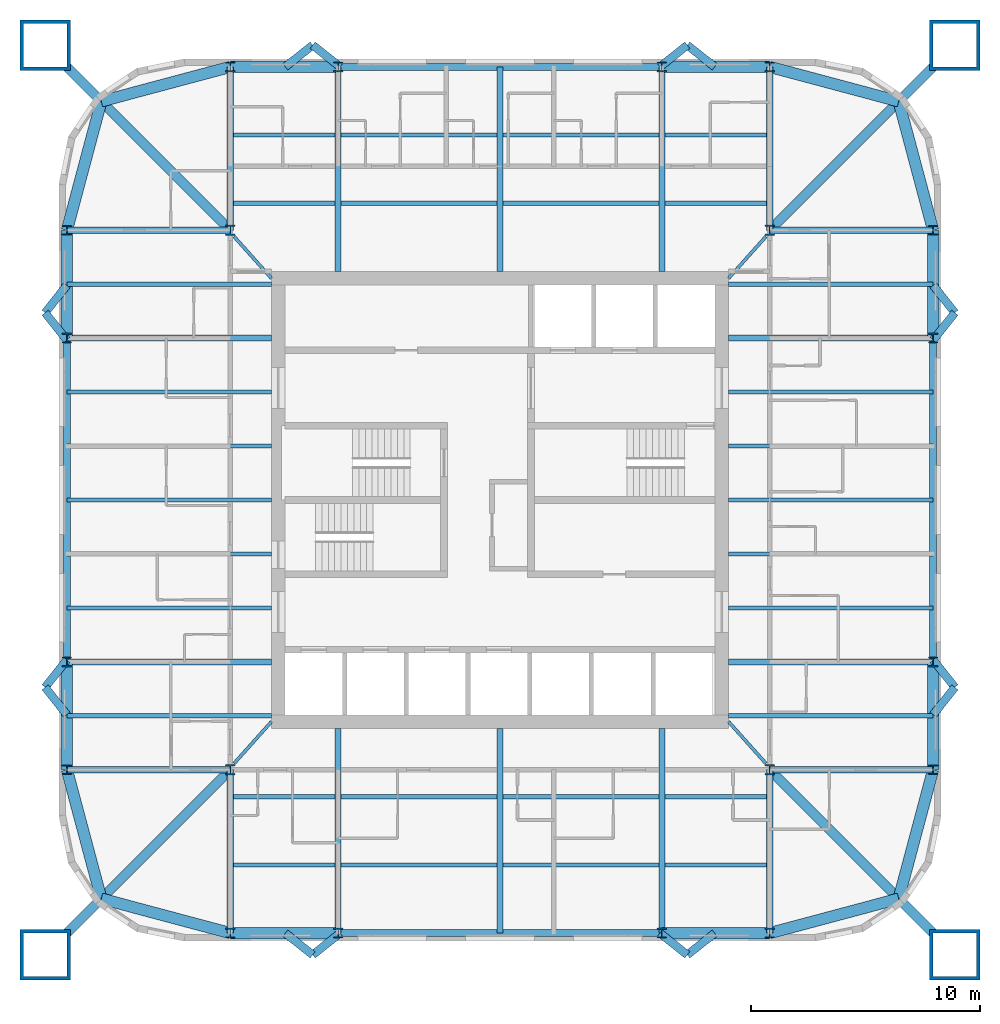
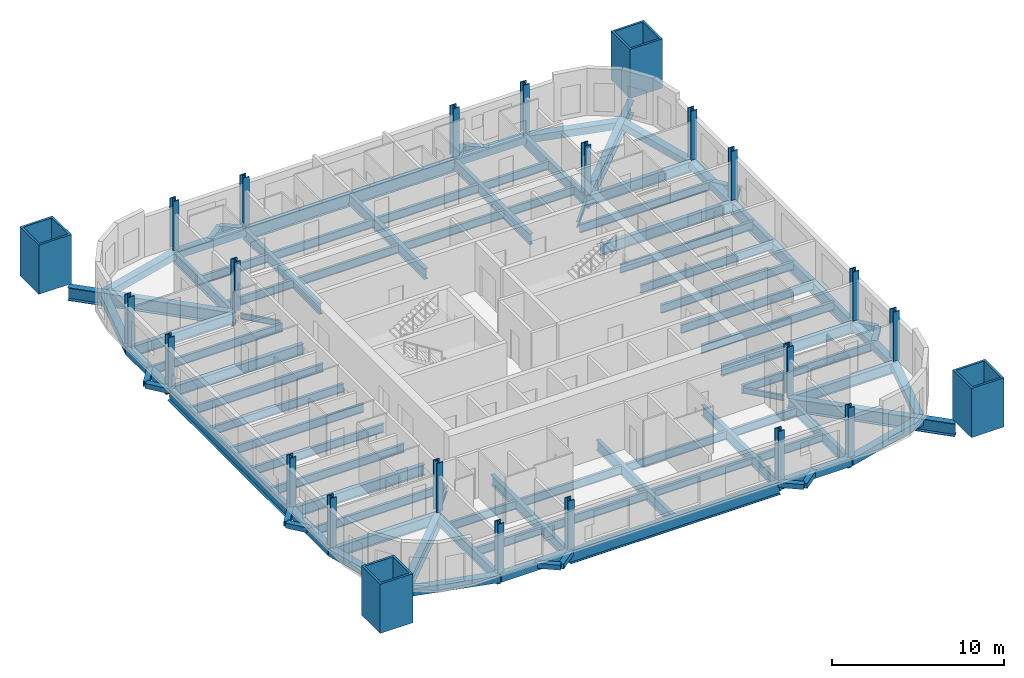
# One storey, part 1 of 10: 92 beams, 24 columns.
"""IFC4 building model written with IfcOpenShell, lengths in metres."""

from ifc_helpers import new_model, si_unit, direction, frame, origin, origin_2d, place, context, subcontext, project, spatial, hollow_rectangle, i_section, extrude, material, material_profile, profile_set, type_object, element, save


model = new_model("IFC4")

# Units and contexts
model_context = context("Model", 3, precision=1e-05, world=origin(), true_north=direction((0.0, 1.0)))
body_context = subcontext(model_context, "Body", "Model", "MODEL_VIEW")
ifc_project = project(units=[si_unit("LENGTHUNIT", "METRE"), si_unit("AREAUNIT", "SQUARE_METRE"), si_unit("VOLUMEUNIT", "CUBIC_METRE"), si_unit("PLANEANGLEUNIT", "RADIAN"), si_unit("MASSUNIT", "GRAM", prefix="KILO")], contexts=[model_context])

# Site, building, storey
site_placement = place(None, origin())
site = spatial("IfcSite", under=ifc_project, at=site_placement, CompositionType="ELEMENT")
building_placement = place(site_placement, origin())
building = spatial("IfcBuilding", under=site, at=building_placement, Name="Turquesa Mirador Hotel Tower", CompositionType="ELEMENT")
storey_placement = place(building_placement, frame((0.0, 0.0, 179.300048828125)))
storey = spatial("IfcBuildingStorey", under=building, at=storey_placement, Name="L48", CompositionType="ELEMENT", Elevation=179.300048828125)

# Columns
ifc_material_1 = material(Name="Steel ASTM A992 Grade 50", Category="steel")
ifc_material_profile_1 = material_profile(ifc_material_1, i_section(OverallWidth=0.411376953125, OverallDepth=0.434326171875, WebThickness=0.035888671875, FlangeThickness=0.057373046875, at=origin_2d()), Name="W14X311")
ifc_profile_set_1 = profile_set([ifc_material_profile_1], Name="Steel ASTM A992 Grade 50")
column_type_1 = type_object("IfcColumnType", Name="COLUMN W14X311", PredefinedType="COLUMN", material=ifc_profile_set_1)
for number, where, z_axis, x_axis, name in (
    (1, (36.050048828125, 33.199951171875, 0.0), (0.0, 0.0, 1.0), (1.0, 0.0, 0.0), "COL-L48-P--18.95--11.80"),
    (2, (36.050048828125, 37.919921875, 0.0), (0.0, 0.0, 1.0), (1.0, 0.0, 0.0), "COL-L48-P--18.95--7.08"),
    (3, (36.050048828125, 52.080078125, 0.0), (0.0, 0.0, 1.0), (1.0, 0.0, 0.0), "COL-L48-P--18.95-+7.08"),
    (4, (36.050048828125, 56.800048828125, 0.0), (0.0, 0.0, 1.0), (1.0, 0.0, 0.0), "COL-L48-P--18.95-+11.80"),
    (5, (43.199951171875, 26.050048828125, 0.0), (0.0, 0.0, 1.0), (1.0, 0.0, 0.0), "COL-L48-P--11.80--18.95"),
    (6, (43.199951171875, 63.949951171875, 0.0), (0.0, 0.0, 1.0), (1.0, 0.0, 0.0), "COL-L48-P--11.80-+18.95"),
    (7, (47.919921875, 26.050048828125, 0.0), (0.0, 0.0, 1.0), (1.0, 0.0, 0.0), "COL-L48-P--7.08--18.95"),
    (8, (47.919921875, 63.949951171875, 0.0), (0.0, 0.0, 1.0), (1.0, 0.0, 0.0), "COL-L48-P--7.08-+18.95"),
    (9, (62.080078125, 26.050048828125, 0.0), (0.0, 0.0, 1.0), (1.0, 0.0, 0.0), "COL-L48-P-+7.08--18.95"),
    (10, (62.080078125, 63.949951171875, 0.0), (0.0, 0.0, 1.0), (1.0, 0.0, 0.0), "COL-L48-P-+7.08-+18.95"),
    (11, (66.800048828125, 26.050048828125, 0.0), (0.0, 0.0, 1.0), (1.0, 0.0, 0.0), "COL-L48-P-+11.80--18.95"),
    (12, (66.800048828125, 63.949951171875, 0.0), (0.0, 0.0, 1.0), (1.0, 0.0, 0.0), "COL-L48-P-+11.80-+18.95"),
    (13, (73.949951171875, 33.199951171875, 0.0), (0.0, 0.0, 1.0), (1.0, 0.0, 0.0), "COL-L48-P-+18.95--11.80"),
    (14, (73.949951171875, 37.919921875, 0.0), (0.0, 0.0, 1.0), (1.0, 0.0, 0.0), "COL-L48-P-+18.95--7.08"),
    (15, (73.949951171875, 52.080078125, 0.0), (0.0, 0.0, 1.0), (1.0, 0.0, 0.0), "COL-L48-P-+18.95-+7.08"),
    (16, (73.949951171875, 56.800048828125, 0.0), (0.0, 0.0, 1.0), (1.0, 0.0, 0.0), "COL-L48-P-+18.95-+11.80"),
):
    element("IfcColumn", number, at=place(storey_placement, frame(where, z_axis=z_axis, x_axis=x_axis)), inside=storey, type_object=column_type_1, Name=name, PredefinedType="COLUMN", context=body_context, shape_type="SweptSolid", body=[
        extrude(i_section(OverallWidth=0.411376953125, OverallDepth=0.434326171875, WebThickness=0.035888671875, FlangeThickness=0.057373046875, at=origin_2d()), origin(), (0.0, 0.0, 1.0), 3.5),
    ])
ifc_material_2 = material(Name="Steel ASTM A992 Grade 50", Category="steel")
ifc_material_profile_2 = material_profile(ifc_material_2, i_section(OverallWidth=0.421630859375, OverallDepth=0.46484375, WebThickness=0.044921875, FlangeThickness=0.072509765625, at=origin_2d()), Name="W14X398")
ifc_profile_set_2 = profile_set([ifc_material_profile_2], Name="Steel ASTM A992 Grade 50")
column_type_2 = type_object("IfcColumnType", Name="COLUMN W14X398", PredefinedType="COLUMN", material=ifc_profile_set_2)
for number, where, z_axis, x_axis, name in (
    (17, (43.199951171875, 33.199951171875, 0.0), (0.0, 0.0, 1.0), (1.0, 0.0, 0.0), "COL-L48-K--11.80--11.80"),
    (18, (43.199951171875, 56.800048828125, 0.0), (0.0, 0.0, 1.0), (1.0, 0.0, 0.0), "COL-L48-K--11.80-+11.80"),
    (19, (66.800048828125, 33.199951171875, 0.0), (0.0, 0.0, 1.0), (1.0, 0.0, 0.0), "COL-L48-K-+11.80--11.80"),
    (20, (66.800048828125, 56.800048828125, 0.0), (0.0, 0.0, 1.0), (1.0, 0.0, 0.0), "COL-L48-K-+11.80-+11.80"),
):
    element("IfcColumn", number, at=place(storey_placement, frame(where, z_axis=z_axis, x_axis=x_axis)), inside=storey, type_object=column_type_2, Name=name, PredefinedType="COLUMN", context=body_context, shape_type="SweptSolid", body=[
        extrude(i_section(OverallWidth=0.421630859375, OverallDepth=0.46484375, WebThickness=0.044921875, FlangeThickness=0.072509765625, at=origin_2d()), origin(), (0.0, 0.0, 1.0), 3.5),
    ])
ifc_material_3 = material(Name="Steel ASTM A514 Grade Q", Category="steel")
ifc_material_profile_3 = material_profile(ifc_material_3, hollow_rectangle(XDim=2.199951171875, YDim=2.199951171875, WallThickness=0.14990234375, at=origin_2d()), Name="BOX2200X2200X150")
ifc_profile_set_3 = profile_set([ifc_material_profile_3], Name="Steel ASTM A514 Grade Q")
column_type_3 = type_object("IfcColumnType", Name="MEGA COLUMN BOX2200X2200X150", PredefinedType="COLUMN", material=ifc_profile_set_3)
for number, where, z_axis, x_axis, name in (
    (21, (74.89990234375, 64.89990234375, 0.0), (0.0, 0.0, 1.0), (1.0, 0.0, 0.0), "Mega column M1"),
    (22, (35.10009765625, 64.89990234375, 0.0), (0.0, 0.0, 1.0), (1.0, 0.0, 0.0), "Mega column M2"),
    (23, (35.10009765625, 25.10009765625, 0.0), (0.0, 0.0, 1.0), (1.0, 0.0, 0.0), "Mega column M3"),
    (24, (74.89990234375, 25.10009765625, 0.0), (0.0, 0.0, 1.0), (1.0, 0.0, 0.0), "Mega column M4"),
):
    element("IfcColumn", number, at=place(storey_placement, frame(where, z_axis=z_axis, x_axis=x_axis)), inside=storey, type_object=column_type_3, Name=name, PredefinedType="COLUMN", context=body_context, shape_type="SweptSolid", body=[
        extrude(hollow_rectangle(XDim=2.199951171875, YDim=2.199951171875, WallThickness=0.14990234375, at=origin_2d()), origin(), (0.0, 0.0, 1.0), 3.5),
    ])

# Beams
ifc_material_4 = material(Name="Steel ASTM A572 Grade 50", Category="steel")
ifc_material_profile_4 = material_profile(ifc_material_4, hollow_rectangle(XDim=0.5, YDim=0.5, WallThickness=0.01611328125, at=origin_2d()), Name="BOX500X500X16")
ifc_profile_set_4 = profile_set([ifc_material_profile_4], Name="Steel ASTM A572 Grade 50")
beam_type_1 = type_object("IfcBeamType", Name="BEAM BOX500X500X16", PredefinedType="BEAM", material=ifc_profile_set_4)
for number, where, z_axis, x_axis, name in (
    (25, (43.199951171875, 63.949951171875, -0.420166015625), (1.0, 0.0, 0.0), (0.0, 1.0, 0.0), "EB-L48-N-L"),
    (26, (62.080078125, 63.949951171875, -0.420166015625), (1.0, 0.0, 0.0), (0.0, 1.0, 0.0), "EB-L48-N-R"),
    (27, (43.199951171875, 26.050048828125, -0.420166015625), (1.0, 0.0, 0.0), (0.0, 1.0, 0.0), "EB-L48-S-L"),
    (28, (62.080078125, 26.050048828125, -0.420166015625), (1.0, 0.0, 0.0), (0.0, 1.0, 0.0), "EB-L48-S-R"),
    (29, (73.949951171875, 33.199951171875, -0.420166015625), (0.0, 1.0, 0.0), (-1.0, 0.0, 0.0), "EB-L48-E-L"),
    (30, (73.949951171875, 52.080078125, -0.420166015625), (0.0, 1.0, 0.0), (-1.0, 0.0, 0.0), "EB-L48-E-R"),
    (31, (36.050048828125, 33.199951171875, -0.420166015625), (0.0, 1.0, 0.0), (-1.0, 0.0, 0.0), "EB-L48-W-L"),
    (32, (36.050048828125, 52.080078125, -0.420166015625), (0.0, 1.0, 0.0), (-1.0, 0.0, 0.0), "EB-L48-W-R"),
):
    element("IfcBeam", number, at=place(storey_placement, frame(where, z_axis=z_axis, x_axis=x_axis)), inside=storey, type_object=beam_type_1, Name=name, PredefinedType="BEAM", context=body_context, shape_type="SweptSolid", body=[
        extrude(hollow_rectangle(XDim=0.5, YDim=0.5, WallThickness=0.01611328125, at=origin_2d()), origin(), (0.0, 0.0, 1.0), 4.719970703125),
    ])
for number, where, z_axis, x_axis, name in (
    (33, (73.949951171875, 56.800048828125, -0.420166015625), (-0.258281892145, 0.966069595935, 0.0), (-0.966069595935, -0.258281892145, 0.0), "KE-L48-1-0"),
    (34, (72.441650390625, 62.441650390625, -0.420166015625), (-0.966069595935, 0.258281892145, 0.0), (-0.258281892145, -0.966069595935, 0.0), "KE-L48-1-1"),
    (35, (36.050048828125, 56.800048828125, -0.420166015625), (0.258281892145, 0.966069595935, 0.0), (-0.966069595935, 0.258281892145, 0.0), "KE-L48-2-0"),
    (36, (37.558349609375, 62.441650390625, -0.420166015625), (0.966069595935, 0.258281892145, 0.0), (-0.258281892145, 0.966069595935, 0.0), "KE-L48-2-1"),
    (37, (36.050048828125, 33.199951171875, -0.420166015625), (0.258281892145, -0.966069595935, 0.0), (0.966069595935, 0.258281892145, 0.0), "KE-L48-3-0"),
    (38, (37.558349609375, 27.558349609375, -0.420166015625), (0.966069595935, -0.258281892145, 0.0), (0.258281892145, 0.966069595935, 0.0), "KE-L48-3-1"),
    (39, (73.949951171875, 33.199951171875, -0.420166015625), (-0.258281892145, -0.966069595935, 0.0), (0.966069595935, -0.258281892145, 0.0), "KE-L48-4-0"),
    (40, (72.441650390625, 27.558349609375, -0.420166015625), (-0.966069595935, -0.258281892145, 0.0), (0.258281892145, -0.966069595935, 0.0), "KE-L48-4-1"),
):
    element("IfcBeam", number, at=place(storey_placement, frame(where, z_axis=z_axis, x_axis=x_axis)), inside=storey, type_object=beam_type_1, Name=name, PredefinedType="BEAM", context=body_context, shape_type="SweptSolid", body=[
        extrude(hollow_rectangle(XDim=0.5, YDim=0.5, WallThickness=0.01611328125, at=origin_2d()), origin(), (0.0, 0.0, 1.0), 5.83984375),
    ])
ifc_material_5 = material(Name="Steel ASTM A992 Grade 50", Category="steel")
ifc_material_profile_5 = material_profile(ifc_material_5, i_section(OverallWidth=0.140380859375, OverallDepth=0.40380859375, WebThickness=0.007080078125, FlangeThickness=0.01123046875, at=origin_2d()), Name="W16X31")
ifc_profile_set_5 = profile_set([ifc_material_profile_5], Name="Steel ASTM A992 Grade 50")
beam_type_2 = type_object("IfcBeamType", Name="BEAM W16X31", PredefinedType="BEAM", material=ifc_profile_set_5)
for number, where, z_axis, x_axis, name in (
    (41, (66.634765625, 56.527099609375, -0.3720703125), (-0.666783216266, -0.745251730964, 0.0), (0.745251730964, -0.666783216266, 0.0), "KT-L48-1"),
    (42, (43.365234375, 56.527099609375, -0.3720703125), (0.666783216266, -0.745251730964, 0.0), (0.745251730964, 0.666783216266, 0.0), "KT-L48-2"),
    (43, (43.365234375, 33.472900390625, -0.3720703125), (0.666783216266, 0.745251730964, 0.0), (-0.745251730964, 0.666783216266, 0.0), "KT-L48-3"),
    (44, (66.634765625, 33.472900390625, -0.3720703125), (-0.666783216266, 0.745251730964, 0.0), (-0.745251730964, -0.666783216266, 0.0), "KT-L48-4"),
):
    element("IfcBeam", number, at=place(storey_placement, frame(where, z_axis=z_axis, x_axis=x_axis)), inside=storey, type_object=beam_type_2, Name=name, PredefinedType="BEAM", context=body_context, shape_type="SweptSolid", body=[
        extrude(i_section(OverallWidth=0.140380859375, OverallDepth=0.40380859375, WebThickness=0.007080078125, FlangeThickness=0.01123046875, at=origin_2d()), origin(), (0.0, 0.0, 1.0), 2.45166015625),
    ])
ifc_material_6 = material(Name="Steel ASTM A992 Grade 50", Category="steel")
ifc_material_profile_6 = material_profile(ifc_material_6, i_section(OverallWidth=0.177978515625, OverallDepth=0.599365234375, WebThickness=0.010009765625, FlangeThickness=0.012939453125, at=origin_2d()), Name="W24X55")
ifc_profile_set_6 = profile_set([ifc_material_profile_6], Name="Steel ASTM A992 Grade 50")
beam_type_3 = type_object("IfcBeamType", Name="BEAM W24X55", PredefinedType="BEAM", material=ifc_profile_set_6)
beam_1_placement = place(storey_placement, frame((43.333251953125, 57.98291015625, -0.4697265625), z_axis=(1.0, 0.0, 0.0), x_axis=(0.0, 1.0, 0.0)))
element("IfcBeam", 45, at=beam_1_placement, inside=storey, type_object=beam_type_3, Name="IB-L48-N-1-0", PredefinedType="BEAM", context=body_context, shape_type="SweptSolid", body=[
    extrude(i_section(OverallWidth=0.177978515625, OverallDepth=0.599365234375, WebThickness=0.010009765625, FlangeThickness=0.012939453125, at=origin_2d()), origin(), (0.0, 0.0, 1.0), 4.453369140625),
])
for number, where, z_axis, x_axis, name in (
    (46, (48.053466796875, 57.98291015625, -0.4697265625), (1.0, 0.0, 0.0), (0.0, 1.0, 0.0), "IB-L48-N-1-1"),
    (47, (55.13330078125, 57.98291015625, -0.4697265625), (1.0, 0.0, 0.0), (0.0, 1.0, 0.0), "IB-L48-N-1-2"),
):
    element("IfcBeam", number, at=place(storey_placement, frame(where, z_axis=z_axis, x_axis=x_axis)), inside=storey, type_object=beam_type_3, Name=name, PredefinedType="BEAM", context=body_context, shape_type="SweptSolid", body=[
        extrude(i_section(OverallWidth=0.177978515625, OverallDepth=0.599365234375, WebThickness=0.010009765625, FlangeThickness=0.012939453125, at=origin_2d()), origin(), (0.0, 0.0, 1.0), 6.813232421875),
    ])
for number, where, z_axis, x_axis, name in (
    (48, (62.21337890625, 57.98291015625, -0.4697265625), (1.0, 0.0, 0.0), (0.0, 1.0, 0.0), "IB-L48-N-1-3"),
    (49, (43.333251953125, 60.967041015625, -0.4697265625), (1.0, 0.0, 0.0), (0.0, 1.0, 0.0), "IB-L48-N-2-0"),
):
    element("IfcBeam", number, at=place(storey_placement, frame(where, z_axis=z_axis, x_axis=x_axis)), inside=storey, type_object=beam_type_3, Name=name, PredefinedType="BEAM", context=body_context, shape_type="SweptSolid", body=[
        extrude(i_section(OverallWidth=0.177978515625, OverallDepth=0.599365234375, WebThickness=0.010009765625, FlangeThickness=0.012939453125, at=origin_2d()), origin(), (0.0, 0.0, 1.0), 4.453369140625),
    ])
for number, where, z_axis, x_axis, name in (
    (50, (48.053466796875, 60.967041015625, -0.4697265625), (1.0, 0.0, 0.0), (0.0, 1.0, 0.0), "IB-L48-N-2-1"),
    (51, (55.13330078125, 60.967041015625, -0.4697265625), (1.0, 0.0, 0.0), (0.0, 1.0, 0.0), "IB-L48-N-2-2"),
):
    element("IfcBeam", number, at=place(storey_placement, frame(where, z_axis=z_axis, x_axis=x_axis)), inside=storey, type_object=beam_type_3, Name=name, PredefinedType="BEAM", context=body_context, shape_type="SweptSolid", body=[
        extrude(i_section(OverallWidth=0.177978515625, OverallDepth=0.599365234375, WebThickness=0.010009765625, FlangeThickness=0.012939453125, at=origin_2d()), origin(), (0.0, 0.0, 1.0), 6.813232421875),
    ])
for number, where, z_axis, x_axis, name in (
    (52, (62.21337890625, 60.967041015625, -0.4697265625), (1.0, 0.0, 0.0), (0.0, 1.0, 0.0), "IB-L48-N-2-3"),
    (53, (43.333251953125, 32.01708984375, -0.4697265625), (1.0, 0.0, 0.0), (0.0, 1.0, 0.0), "IB-L48-S-1-0"),
):
    element("IfcBeam", number, at=place(storey_placement, frame(where, z_axis=z_axis, x_axis=x_axis)), inside=storey, type_object=beam_type_3, Name=name, PredefinedType="BEAM", context=body_context, shape_type="SweptSolid", body=[
        extrude(i_section(OverallWidth=0.177978515625, OverallDepth=0.599365234375, WebThickness=0.010009765625, FlangeThickness=0.012939453125, at=origin_2d()), origin(), (0.0, 0.0, 1.0), 4.453369140625),
    ])
for number, where, z_axis, x_axis, name in (
    (54, (48.053466796875, 32.01708984375, -0.4697265625), (1.0, 0.0, 0.0), (0.0, 1.0, 0.0), "IB-L48-S-1-1"),
    (55, (55.13330078125, 32.01708984375, -0.4697265625), (1.0, 0.0, 0.0), (0.0, 1.0, 0.0), "IB-L48-S-1-2"),
):
    element("IfcBeam", number, at=place(storey_placement, frame(where, z_axis=z_axis, x_axis=x_axis)), inside=storey, type_object=beam_type_3, Name=name, PredefinedType="BEAM", context=body_context, shape_type="SweptSolid", body=[
        extrude(i_section(OverallWidth=0.177978515625, OverallDepth=0.599365234375, WebThickness=0.010009765625, FlangeThickness=0.012939453125, at=origin_2d()), origin(), (0.0, 0.0, 1.0), 6.813232421875),
    ])
for number, where, z_axis, x_axis, name in (
    (56, (62.21337890625, 32.01708984375, -0.4697265625), (1.0, 0.0, 0.0), (0.0, 1.0, 0.0), "IB-L48-S-1-3"),
    (57, (43.333251953125, 29.032958984375, -0.4697265625), (1.0, 0.0, 0.0), (0.0, 1.0, 0.0), "IB-L48-S-2-0"),
):
    element("IfcBeam", number, at=place(storey_placement, frame(where, z_axis=z_axis, x_axis=x_axis)), inside=storey, type_object=beam_type_3, Name=name, PredefinedType="BEAM", context=body_context, shape_type="SweptSolid", body=[
        extrude(i_section(OverallWidth=0.177978515625, OverallDepth=0.599365234375, WebThickness=0.010009765625, FlangeThickness=0.012939453125, at=origin_2d()), origin(), (0.0, 0.0, 1.0), 4.453369140625),
    ])
for number, where, z_axis, x_axis, name in (
    (58, (48.053466796875, 29.032958984375, -0.4697265625), (1.0, 0.0, 0.0), (0.0, 1.0, 0.0), "IB-L48-S-2-1"),
    (59, (55.13330078125, 29.032958984375, -0.4697265625), (1.0, 0.0, 0.0), (0.0, 1.0, 0.0), "IB-L48-S-2-2"),
):
    element("IfcBeam", number, at=place(storey_placement, frame(where, z_axis=z_axis, x_axis=x_axis)), inside=storey, type_object=beam_type_3, Name=name, PredefinedType="BEAM", context=body_context, shape_type="SweptSolid", body=[
        extrude(i_section(OverallWidth=0.177978515625, OverallDepth=0.599365234375, WebThickness=0.010009765625, FlangeThickness=0.012939453125, at=origin_2d()), origin(), (0.0, 0.0, 1.0), 6.813232421875),
    ])
beam_2_placement = place(storey_placement, frame((62.21337890625, 29.032958984375, -0.4697265625), z_axis=(1.0, 0.0, 0.0), x_axis=(0.0, 1.0, 0.0)))
element("IfcBeam", 60, at=beam_2_placement, inside=storey, type_object=beam_type_3, Name="IB-L48-S-2-3", PredefinedType="BEAM", context=body_context, shape_type="SweptSolid", body=[
    extrude(i_section(OverallWidth=0.177978515625, OverallDepth=0.599365234375, WebThickness=0.010009765625, FlangeThickness=0.012939453125, at=origin_2d()), origin(), (0.0, 0.0, 1.0), 4.453369140625),
])
for number, where, z_axis, x_axis, name in (
    (61, (73.949951171875, 35.56005859375, -0.4697265625), (-1.0, 0.0, 0.0), (0.0, -1.0, 0.0), "BM-L48-E--9.44"),
    (62, (73.949951171875, 40.280029296875, -0.4697265625), (-1.0, 0.0, 0.0), (0.0, -1.0, 0.0), "BM-L48-E--4.72"),
    (63, (73.949951171875, 42.639892578125, -0.4697265625), (-1.0, 0.0, 0.0), (0.0, -1.0, 0.0), "BM-L48-E--2.36"),
    (64, (73.949951171875, 45.0, -0.4697265625), (-1.0, 0.0, 0.0), (0.0, -1.0, 0.0), "BM-L48-E-+0.00"),
    (65, (73.949951171875, 47.360107421875, -0.4697265625), (-1.0, 0.0, 0.0), (0.0, -1.0, 0.0), "BM-L48-E-+2.36"),
    (66, (73.949951171875, 49.719970703125, -0.4697265625), (-1.0, 0.0, 0.0), (0.0, -1.0, 0.0), "BM-L48-E-+4.72"),
    (67, (73.949951171875, 54.43994140625, -0.4697265625), (-1.0, 0.0, 0.0), (0.0, -1.0, 0.0), "BM-L48-E-+9.44"),
    (68, (36.050048828125, 35.56005859375, -0.4697265625), (1.0, 0.0, 0.0), (0.0, 1.0, 0.0), "BM-L48-W--9.44"),
    (69, (36.050048828125, 40.280029296875, -0.4697265625), (1.0, 0.0, 0.0), (0.0, 1.0, 0.0), "BM-L48-W--4.72"),
    (70, (36.050048828125, 42.639892578125, -0.4697265625), (1.0, 0.0, 0.0), (0.0, 1.0, 0.0), "BM-L48-W--2.36"),
    (71, (36.050048828125, 45.0, -0.4697265625), (1.0, 0.0, 0.0), (0.0, 1.0, 0.0), "BM-L48-W-+0.00"),
    (72, (36.050048828125, 47.360107421875, -0.4697265625), (1.0, 0.0, 0.0), (0.0, 1.0, 0.0), "BM-L48-W-+2.36"),
    (73, (36.050048828125, 49.719970703125, -0.4697265625), (1.0, 0.0, 0.0), (0.0, 1.0, 0.0), "BM-L48-W-+4.72"),
    (74, (36.050048828125, 54.43994140625, -0.4697265625), (1.0, 0.0, 0.0), (0.0, 1.0, 0.0), "BM-L48-W-+9.44"),
):
    element("IfcBeam", number, at=place(storey_placement, frame(where, z_axis=z_axis, x_axis=x_axis)), inside=storey, type_object=beam_type_3, Name=name, PredefinedType="BEAM", context=body_context, shape_type="SweptSolid", body=[
        extrude(i_section(OverallWidth=0.177978515625, OverallDepth=0.599365234375, WebThickness=0.010009765625, FlangeThickness=0.012939453125, at=origin_2d()), origin(), (0.0, 0.0, 1.0), 8.949951171875),
    ])
ifc_material_7 = material(Name="Steel ASTM A992 Grade 50", Category="steel")
ifc_material_profile_7 = material_profile(ifc_material_7, i_section(OverallWidth=0.2666015625, OverallDepth=0.7568359375, WebThickness=0.013916015625, FlangeThickness=0.019287109375, at=origin_2d()), Name="W30X108")
ifc_profile_set_7 = profile_set([ifc_material_profile_7], Name="Steel ASTM A992 Grade 50")
beam_type_4 = type_object("IfcBeamType", Name="BEAM W30X108", PredefinedType="BEAM", material=ifc_profile_set_7)
for number, where, z_axis, x_axis, name in (
    (75, (47.919921875, 63.949951171875, -0.548583984375), (0.0, -1.0, 0.0), (1.0, 0.0, 0.0), "GD-L48-N--7.08"),
    (76, (62.080078125, 63.949951171875, -0.548583984375), (0.0, -1.0, 0.0), (1.0, 0.0, 0.0), "GD-L48-N-+7.08"),
    (77, (55.0, 63.949951171875, -0.548583984375), (0.0, -1.0, 0.0), (1.0, 0.0, 0.0), "GD-L48-N-+0.00"),
):
    element("IfcBeam", number, at=place(storey_placement, frame(where, z_axis=z_axis, x_axis=x_axis)), inside=storey, type_object=beam_type_4, Name=name, PredefinedType="BEAM", context=body_context, shape_type="SweptSolid", body=[
        extrude(i_section(OverallWidth=0.2666015625, OverallDepth=0.7568359375, WebThickness=0.013916015625, FlangeThickness=0.019287109375, at=origin_2d()), origin(), (0.0, 0.0, 1.0), 8.949951171875),
    ])
for number, where, z_axis, x_axis, name in (
    (78, (43.199951171875, 63.949951171875, -0.548583984375), (0.0, -1.0, 0.0), (1.0, 0.0, 0.0), "GK-L48-N--11.80"),
    (79, (66.800048828125, 63.949951171875, -0.548583984375), (0.0, -1.0, 0.0), (1.0, 0.0, 0.0), "GK-L48-N-+11.80"),
):
    element("IfcBeam", number, at=place(storey_placement, frame(where, z_axis=z_axis, x_axis=x_axis)), inside=storey, type_object=beam_type_4, Name=name, PredefinedType="BEAM", context=body_context, shape_type="SweptSolid", body=[
        extrude(i_section(OverallWidth=0.2666015625, OverallDepth=0.7568359375, WebThickness=0.013916015625, FlangeThickness=0.019287109375, at=origin_2d()), origin(), (0.0, 0.0, 1.0), 7.14990234375),
    ])
for number, where, z_axis, x_axis, name in (
    (80, (47.919921875, 26.050048828125, -0.548583984375), (0.0, 1.0, 0.0), (-1.0, 0.0, 0.0), "GD-L48-S--7.08"),
    (81, (62.080078125, 26.050048828125, -0.548583984375), (0.0, 1.0, 0.0), (-1.0, 0.0, 0.0), "GD-L48-S-+7.08"),
    (82, (55.0, 26.050048828125, -0.548583984375), (0.0, 1.0, 0.0), (-1.0, 0.0, 0.0), "GD-L48-S-+0.00"),
):
    element("IfcBeam", number, at=place(storey_placement, frame(where, z_axis=z_axis, x_axis=x_axis)), inside=storey, type_object=beam_type_4, Name=name, PredefinedType="BEAM", context=body_context, shape_type="SweptSolid", body=[
        extrude(i_section(OverallWidth=0.2666015625, OverallDepth=0.7568359375, WebThickness=0.013916015625, FlangeThickness=0.019287109375, at=origin_2d()), origin(), (0.0, 0.0, 1.0), 8.949951171875),
    ])
for number, where, z_axis, x_axis, name in (
    (83, (43.199951171875, 26.050048828125, -0.548583984375), (0.0, 1.0, 0.0), (-1.0, 0.0, 0.0), "GK-L48-S--11.80"),
    (84, (66.800048828125, 26.050048828125, -0.548583984375), (0.0, 1.0, 0.0), (-1.0, 0.0, 0.0), "GK-L48-S-+11.80"),
):
    element("IfcBeam", number, at=place(storey_placement, frame(where, z_axis=z_axis, x_axis=x_axis)), inside=storey, type_object=beam_type_4, Name=name, PredefinedType="BEAM", context=body_context, shape_type="SweptSolid", body=[
        extrude(i_section(OverallWidth=0.2666015625, OverallDepth=0.7568359375, WebThickness=0.013916015625, FlangeThickness=0.019287109375, at=origin_2d()), origin(), (0.0, 0.0, 1.0), 7.14990234375),
    ])
for number, where, z_axis, x_axis, name in (
    (85, (73.949951171875, 37.919921875, -0.548583984375), (-1.0, 0.0, 0.0), (0.0, -1.0, 0.0), "GD-L48-E--7.08"),
    (86, (73.949951171875, 52.080078125, -0.548583984375), (-1.0, 0.0, 0.0), (0.0, -1.0, 0.0), "GD-L48-E-+7.08"),
):
    element("IfcBeam", number, at=place(storey_placement, frame(where, z_axis=z_axis, x_axis=x_axis)), inside=storey, type_object=beam_type_4, Name=name, PredefinedType="BEAM", context=body_context, shape_type="SweptSolid", body=[
        extrude(i_section(OverallWidth=0.2666015625, OverallDepth=0.7568359375, WebThickness=0.013916015625, FlangeThickness=0.019287109375, at=origin_2d()), origin(), (0.0, 0.0, 1.0), 8.949951171875),
    ])
for number, where, z_axis, x_axis, name in (
    (87, (73.949951171875, 33.199951171875, -0.548583984375), (-1.0, 0.0, 0.0), (0.0, -1.0, 0.0), "GK-L48-E--11.80"),
    (88, (73.949951171875, 56.800048828125, -0.548583984375), (-1.0, 0.0, 0.0), (0.0, -1.0, 0.0), "GK-L48-E-+11.80"),
):
    element("IfcBeam", number, at=place(storey_placement, frame(where, z_axis=z_axis, x_axis=x_axis)), inside=storey, type_object=beam_type_4, Name=name, PredefinedType="BEAM", context=body_context, shape_type="SweptSolid", body=[
        extrude(i_section(OverallWidth=0.2666015625, OverallDepth=0.7568359375, WebThickness=0.013916015625, FlangeThickness=0.019287109375, at=origin_2d()), origin(), (0.0, 0.0, 1.0), 7.14990234375),
    ])
for number, where, z_axis, x_axis, name in (
    (89, (36.050048828125, 37.919921875, -0.548583984375), (1.0, 0.0, 0.0), (0.0, 1.0, 0.0), "GD-L48-W--7.08"),
    (90, (36.050048828125, 52.080078125, -0.548583984375), (1.0, 0.0, 0.0), (0.0, 1.0, 0.0), "GD-L48-W-+7.08"),
):
    element("IfcBeam", number, at=place(storey_placement, frame(where, z_axis=z_axis, x_axis=x_axis)), inside=storey, type_object=beam_type_4, Name=name, PredefinedType="BEAM", context=body_context, shape_type="SweptSolid", body=[
        extrude(i_section(OverallWidth=0.2666015625, OverallDepth=0.7568359375, WebThickness=0.013916015625, FlangeThickness=0.019287109375, at=origin_2d()), origin(), (0.0, 0.0, 1.0), 8.949951171875),
    ])
for number, where, z_axis, x_axis, name in (
    (91, (36.050048828125, 33.199951171875, -0.548583984375), (1.0, 0.0, 0.0), (0.0, 1.0, 0.0), "GK-L48-W--11.80"),
    (92, (36.050048828125, 56.800048828125, -0.548583984375), (1.0, 0.0, 0.0), (0.0, 1.0, 0.0), "GK-L48-W-+11.80"),
):
    element("IfcBeam", number, at=place(storey_placement, frame(where, z_axis=z_axis, x_axis=x_axis)), inside=storey, type_object=beam_type_4, Name=name, PredefinedType="BEAM", context=body_context, shape_type="SweptSolid", body=[
        extrude(i_section(OverallWidth=0.2666015625, OverallDepth=0.7568359375, WebThickness=0.013916015625, FlangeThickness=0.019287109375, at=origin_2d()), origin(), (0.0, 0.0, 1.0), 7.14990234375),
    ])
ifc_material_8 = material(Name="Steel ASTM A992 Grade 50", Category="steel")
ifc_material_profile_8 = material_profile(ifc_material_8, i_section(OverallWidth=0.3046875, OverallDepth=0.911865234375, WebThickness=0.015869140625, FlangeThickness=0.02392578125, at=origin_2d()), Name="W36X150")
ifc_profile_set_8 = profile_set([ifc_material_profile_8], Name="Steel ASTM A992 Grade 50")
beam_type_5 = type_object("IfcBeamType", Name="BEAM W36X150", PredefinedType="BEAM", material=ifc_profile_set_8)
for number, where, z_axis, x_axis, name in (
    (93, (47.919921875, 63.949951171875, -0.6259765625), (1.0, 0.0, 0.0), (0.0, 1.0, 0.0), "EB-L48-N-C"),
    (94, (47.919921875, 26.050048828125, -0.6259765625), (1.0, 0.0, 0.0), (0.0, 1.0, 0.0), "EB-L48-S-C"),
    (95, (73.949951171875, 37.919921875, -0.6259765625), (0.0, 1.0, 0.0), (-1.0, 0.0, 0.0), "EB-L48-E-C"),
    (96, (36.050048828125, 37.919921875, -0.6259765625), (0.0, 1.0, 0.0), (-1.0, 0.0, 0.0), "EB-L48-W-C"),
):
    element("IfcBeam", number, at=place(storey_placement, frame(where, z_axis=z_axis, x_axis=x_axis)), inside=storey, type_object=beam_type_5, Name=name, PredefinedType="BEAM", context=body_context, shape_type="SweptSolid", body=[
        extrude(i_section(OverallWidth=0.3046875, OverallDepth=0.911865234375, WebThickness=0.015869140625, FlangeThickness=0.02392578125, at=origin_2d()), origin(), (0.0, 0.0, 1.0), 14.16015625),
    ])
ifc_material_9 = material(Name="Steel ASTM A992 Grade 50", Category="steel")
ifc_material_profile_9 = material_profile(ifc_material_9, i_section(OverallWidth=0.419189453125, OverallDepth=0.927001953125, WebThickness=0.019287109375, FlangeThickness=0.031982421875, at=origin_2d()), Name="W36X231")
ifc_profile_set_9 = profile_set([ifc_material_profile_9], Name="Steel ASTM A992 Grade 50")
beam_type_6 = type_object("IfcBeamType", Name="BEAM W36X231", PredefinedType="BEAM", material=ifc_profile_set_9)
for number, where, z_axis, x_axis, name in (
    (97, (66.800048828125, 56.800048828125, -0.633544921875), (0.707106781187, 0.707106781187, 0.0), (-0.707106781187, 0.707106781187, 0.0), "KD-L48-1"),
    (98, (43.199951171875, 56.800048828125, -0.633544921875), (-0.707106781187, 0.707106781187, 0.0), (-0.707106781187, -0.707106781187, 0.0), "KD-L48-2"),
    (99, (43.199951171875, 33.199951171875, -0.633544921875), (-0.707106781187, -0.707106781187, 0.0), (0.707106781187, -0.707106781187, 0.0), "KD-L48-3"),
    (100, (66.800048828125, 33.199951171875, -0.633544921875), (0.707106781187, -0.707106781187, 0.0), (0.707106781187, 0.707106781187, 0.0), "KD-L48-4"),
):
    element("IfcBeam", number, at=place(storey_placement, frame(where, z_axis=z_axis, x_axis=x_axis)), inside=storey, type_object=beam_type_6, Name=name, PredefinedType="BEAM", context=body_context, shape_type="SweptSolid", body=[
        extrude(i_section(OverallWidth=0.419189453125, OverallDepth=0.927001953125, WebThickness=0.019287109375, FlangeThickness=0.031982421875, at=origin_2d()), origin(), (0.0, 0.0, 1.0), 10.080322265625),
    ])
ifc_material_10 = material(Name="Steel ASTM A500 Grade C", Category="steel")
ifc_material_profile_10 = material_profile(ifc_material_10, hollow_rectangle(XDim=0.355712890625, YDim=0.355712890625, WallThickness=0.0146484375, at=origin_2d()), Name="HSS14X14X5/8")
ifc_profile_set_10 = profile_set([ifc_material_profile_10], Name="Steel ASTM A500 Grade C")
beam_type_7 = type_object("IfcBeamType", Name="BRACE STRUT HSS14X14X5/8", PredefinedType="BEAM", material=ifc_profile_set_10)
for number, where, z_axis, x_axis, name in (
    (101, (46.805908203125, 64.89990234375, -0.347900390625), (-0.784049059149, -0.620698858423, 0.0), (0.620698858423, -0.784049059149, 0.0), "Brace strut"),
    (102, (46.805908203125, 64.89990234375, -0.347900390625), (0.784049059149, -0.620698858423, 0.0), (0.620698858423, 0.784049059149, 0.0), "Brace strut"),
    (103, (63.194091796875, 64.89990234375, -0.347900390625), (-0.784049059149, -0.620698858423, 0.0), (0.620698858423, -0.784049059149, 0.0), "Brace strut"),
    (104, (63.194091796875, 64.89990234375, -0.347900390625), (0.784049059149, -0.620698858423, 0.0), (0.620698858423, 0.784049059149, 0.0), "Brace strut"),
    (105, (46.805908203125, 25.10009765625, -0.347900390625), (-0.784049059149, 0.620698858423, 0.0), (-0.620698858423, -0.784049059149, 0.0), "Brace strut"),
    (106, (46.805908203125, 25.10009765625, -0.347900390625), (0.784049059149, 0.620698858423, 0.0), (-0.620698858423, 0.784049059149, 0.0), "Brace strut"),
    (107, (63.194091796875, 25.10009765625, -0.347900390625), (-0.784049059149, 0.620698858423, 0.0), (-0.620698858423, -0.784049059149, 0.0), "Brace strut"),
    (108, (63.194091796875, 25.10009765625, -0.347900390625), (0.784049059149, 0.620698858423, 0.0), (-0.620698858423, 0.784049059149, 0.0), "Brace strut"),
    (109, (74.89990234375, 36.805908203125, -0.347900390625), (-0.620698858423, -0.784049059149, 0.0), (0.784049059149, -0.620698858423, 0.0), "Brace strut"),
    (110, (74.89990234375, 36.805908203125, -0.347900390625), (-0.620698858423, 0.784049059149, 0.0), (-0.784049059149, -0.620698858423, 0.0), "Brace strut"),
    (111, (74.89990234375, 53.194091796875, -0.347900390625), (-0.620698858423, -0.784049059149, 0.0), (0.784049059149, -0.620698858423, 0.0), "Brace strut"),
    (112, (74.89990234375, 53.194091796875, -0.347900390625), (-0.620698858423, 0.784049059149, 0.0), (-0.784049059149, -0.620698858423, 0.0), "Brace strut"),
    (113, (35.10009765625, 36.805908203125, -0.347900390625), (0.620698858423, -0.784049059149, 0.0), (0.784049059149, 0.620698858423, 0.0), "Brace strut"),
    (114, (35.10009765625, 36.805908203125, -0.347900390625), (0.620698858423, 0.784049059149, 0.0), (-0.784049059149, 0.620698858423, 0.0), "Brace strut"),
    (115, (35.10009765625, 53.194091796875, -0.347900390625), (0.620698858423, -0.784049059149, 0.0), (0.784049059149, 0.620698858423, 0.0), "Brace strut"),
    (116, (35.10009765625, 53.194091796875, -0.347900390625), (0.620698858423, 0.784049059149, 0.0), (-0.784049059149, 0.620698858423, 0.0), "Brace strut"),
):
    element("IfcBeam", number, at=place(storey_placement, frame(where, z_axis=z_axis, x_axis=x_axis)), inside=storey, type_object=beam_type_7, Name=name, PredefinedType="BEAM", context=body_context, shape_type="SweptSolid", body=[
        extrude(hollow_rectangle(XDim=0.355712890625, YDim=0.355712890625, WallThickness=0.0146484375, at=origin_2d()), origin(), (0.0, 0.0, 1.0), 1.530517578125),
    ])

save(model, "model.ifc")
